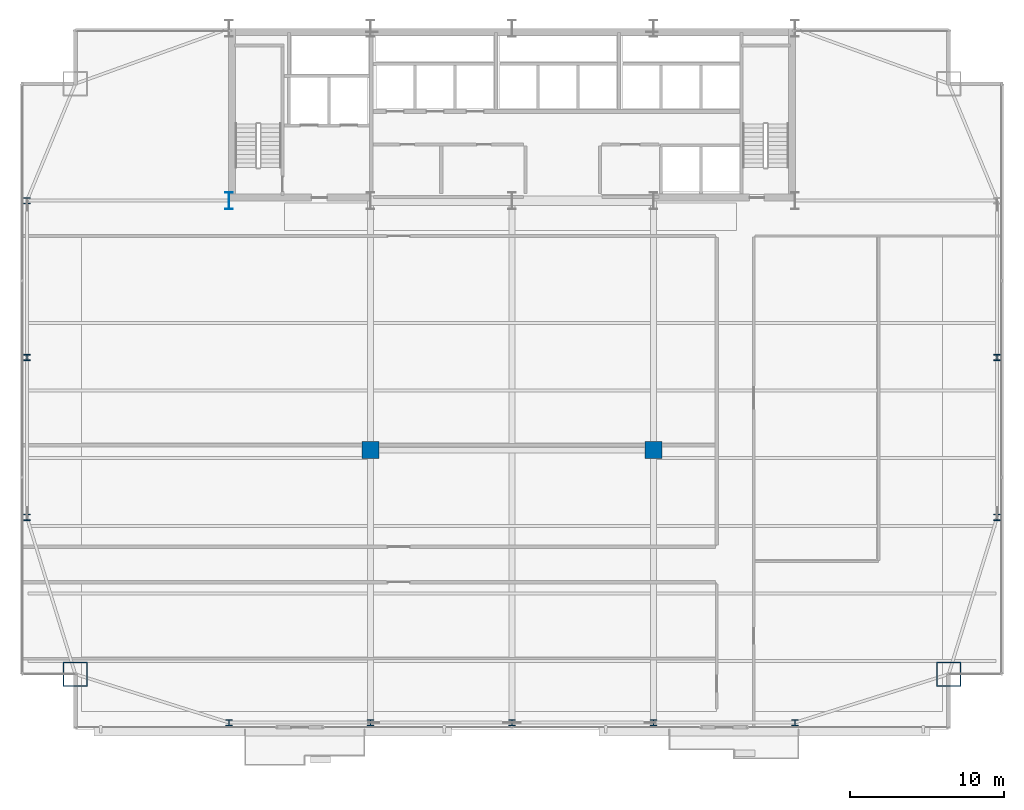
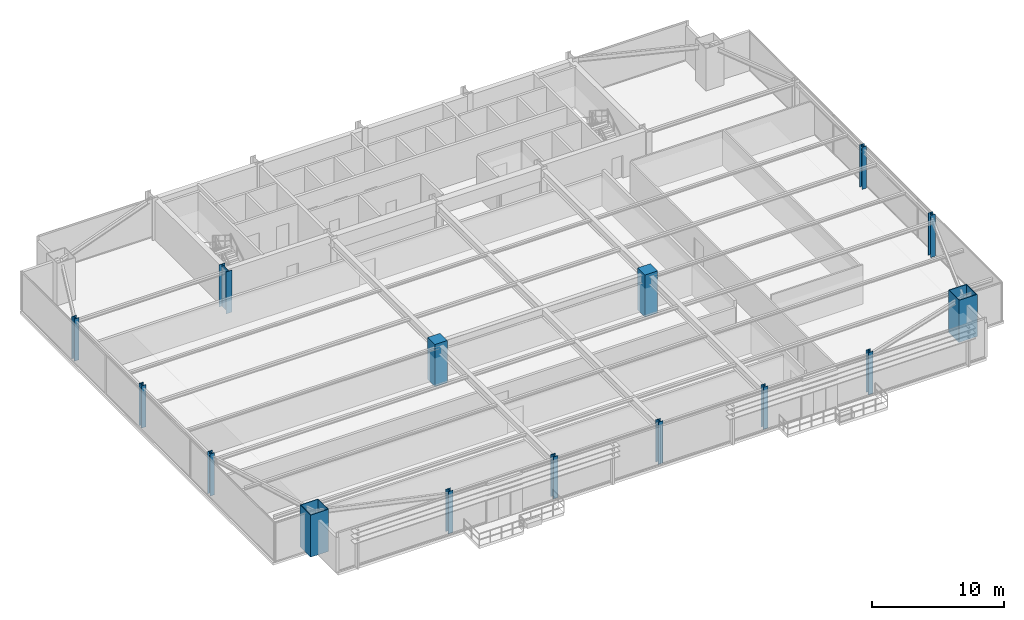
# One storey, part 1 of 31: 15 columns.
"""IFC4 building model written with IfcOpenShell, lengths in metres."""

from ifc_helpers import new_model, si_unit, direction, frame, origin, origin_2d, place, context, subcontext, project, spatial, rectangle, hollow_rectangle, i_section, extrude, source, transform, mapped, material, material_profile, profile_set, type_object, type_shapes, element, save


model = new_model("IFC4")

# Units and contexts
model_context = context("Model", 3, precision=1e-05, world=origin(), true_north=direction((0.0, 1.0)))
body_context = subcontext(model_context, "Body", "Model", "MODEL_VIEW")
ifc_project = project(units=[si_unit("LENGTHUNIT", "METRE"), si_unit("AREAUNIT", "SQUARE_METRE"), si_unit("VOLUMEUNIT", "CUBIC_METRE"), si_unit("PLANEANGLEUNIT", "RADIAN"), si_unit("MASSUNIT", "GRAM", prefix="KILO")], contexts=[model_context])

# Site, building, storey
site_placement = place(None, origin())
site = spatial("IfcSite", under=ifc_project, at=site_placement, CompositionType="ELEMENT")
building_placement = place(site_placement, origin())
building = spatial("IfcBuilding", under=site, at=building_placement, Name="Varnel Quay Broadcast Tower", CompositionType="ELEMENT")
storey_placement = place(building_placement, frame((0.0, 0.0, 39.300048828125)))
storey = spatial("IfcBuildingStorey", under=building, at=storey_placement, Name="L08", CompositionType="ELEMENT", Elevation=39.300048828125)

# Columns
ifc_material_1 = material(Name="Structural Steel CSA G40.21 350WT", Category="steel")
ifc_material_profile_1 = material_profile(ifc_material_1, i_section(OverallWidth=0.5, OverallDepth=1.10009765625, WebThickness=0.01806640625, FlangeThickness=0.031982421875, FilletRadius=0.01806640625, at=origin_2d()), Name="WWF1100X418")
ifc_profile_set_1 = profile_set([ifc_material_profile_1], Name="Structural Steel CSA G40.21 350WT")
column_type_1 = type_object("IfcColumnType", Name="Col_WWF1100X418", PredefinedType="COLUMN", material=ifc_profile_set_1)
shared_shape_1 = source(origin(), body_context, "Body", "SweptSolid", [
    extrude(i_section(OverallWidth=0.5, OverallDepth=1.10009765625, WebThickness=0.01806640625, FlangeThickness=0.031982421875, FilletRadius=0.01806640625, at=origin_2d()), origin(), (0.0, 0.0, 1.0), 3.89990234375),
])
type_shapes(column_type_1, [shared_shape_1])
column_placement = place(storey_placement, frame((15.60009765625, 35.60009765625, 0.0), z_axis=(0.0, 0.0, 1.0), x_axis=(1.0, 0.0, 0.0)))
element("IfcColumn", 1, at=column_placement, inside=storey, type_object=column_type_1, Name="L08 Column CC-S1", PredefinedType="COLUMN", context=body_context, shape_type="MappedRepresentation", body=[
    mapped(shared_shape_1, transform((0.0, 0.0, 0.0), x_axis=(1.0, 0.0, 0.0), y_axis=(0.0, 1.0, 0.0), z_axis=(0.0, 0.0, 1.0), scale=1.0)),
])
ifc_material_profile_2 = material_profile(ifc_material_1, hollow_rectangle(XDim=1.60009765625, YDim=1.60009765625, WallThickness=0.06005859375, at=origin_2d()), Name="BOX1600X1600X60")
ifc_profile_set_2 = profile_set([ifc_material_profile_2], Name="Structural Steel CSA G40.21 350WT")
column_type_2 = type_object("IfcColumnType", Name="Col_BOX1600X1600X60", PredefinedType="COLUMN", material=ifc_profile_set_2)
shared_shape_2 = source(origin(), body_context, "Body", "SweptSolid", [
    extrude(hollow_rectangle(XDim=1.60009765625, YDim=1.60009765625, WallThickness=0.06005859375, at=origin_2d()), origin(), (0.0, 0.0, 1.0), 3.89990234375),
])
type_shapes(column_type_2, [shared_shape_2])
for number, where, z_axis, x_axis, name in (
    (2, (5.60009765625, 4.800048828125, 0.0), (0.0, 0.0, 1.0), (1.0, 0.0, 0.0), "L08 Column MC-SW"),
    (3, (62.39990234375, 4.800048828125, 0.0), (0.0, 0.0, 1.0), (1.0, 0.0, 0.0), "L08 Column MC-SE"),
):
    element("IfcColumn", number, at=place(storey_placement, frame(where, z_axis=z_axis, x_axis=x_axis)), inside=storey, type_object=column_type_2, Name=name, PredefinedType="COLUMN", context=body_context, shape_type="MappedRepresentation", body=[
        mapped(shared_shape_2, transform((0.0, 0.0, 0.0), x_axis=(1.0, 0.0, 0.0), y_axis=(0.0, 1.0, 0.0), z_axis=(0.0, 0.0, 1.0), scale=1.0)),
    ])
ifc_material_2 = material(Name="Structural Steel CSA G40.21 350W", Category="steel")
ifc_material_profile_3 = material_profile(ifc_material_2, i_section(OverallWidth=0.404052734375, OverallDepth=0.406982421875, WebThickness=0.027099609375, FlangeThickness=0.043701171875, FilletRadius=0.01806640625, at=origin_2d()), Name="W360X347")
ifc_profile_set_3 = profile_set([ifc_material_profile_3], Name="Structural Steel CSA G40.21 350W")
column_type_3 = type_object("IfcColumnType", Name="Col_W360X347", PredefinedType="COLUMN", material=ifc_profile_set_3)
shared_shape_3 = source(origin(), body_context, "Body", "SweptSolid", [
    extrude(i_section(OverallWidth=0.404052734375, OverallDepth=0.406982421875, WebThickness=0.027099609375, FlangeThickness=0.043701171875, FilletRadius=0.01806640625, at=origin_2d()), origin(), (0.0, 0.0, 1.0), 3.89990234375),
])
type_shapes(column_type_3, [shared_shape_3])
for number, where, z_axis, x_axis, name in (
    (4, (15.60009765625, 1.64990234375, 0.0), (0.0, 0.0, 1.0), (1.0, 0.0, 0.0), "L08 Column TC-S1"),
    (5, (24.800048828125, 1.64990234375, 0.0), (0.0, 0.0, 1.0), (1.0, 0.0, 0.0), "L08 Column TC-S2"),
    (6, (34.0, 1.64990234375, 0.0), (0.0, 0.0, 1.0), (1.0, 0.0, 0.0), "L08 Column TC-S3"),
    (7, (43.199951171875, 1.64990234375, 0.0), (0.0, 0.0, 1.0), (1.0, 0.0, 0.0), "L08 Column TC-S4"),
    (8, (52.39990234375, 1.64990234375, 0.0), (0.0, 0.0, 1.0), (1.0, 0.0, 0.0), "L08 Column TC-S5"),
    (9, (2.449951171875, 15.0, 0.0), (0.0, 0.0, 1.0), (1.0, 0.0, 0.0), "L08 Column TC-W1"),
    (10, (65.550048828125, 15.0, 0.0), (0.0, 0.0, 1.0), (1.0, 0.0, 0.0), "L08 Column TC-E1"),
    (11, (2.449951171875, 25.39990234375, 0.0), (0.0, 0.0, 1.0), (1.0, 0.0, 0.0), "L08 Column TC-W2"),
    (12, (65.550048828125, 25.39990234375, 0.0), (0.0, 0.0, 1.0), (1.0, 0.0, 0.0), "L08 Column TC-E2"),
    (13, (2.449951171875, 35.60009765625, 0.0), (0.0, 0.0, 1.0), (1.0, 0.0, 0.0), "L08 Column TC-W3"),
):
    element("IfcColumn", number, at=place(storey_placement, frame(where, z_axis=z_axis, x_axis=x_axis)), inside=storey, type_object=column_type_3, Name=name, PredefinedType="COLUMN", context=body_context, shape_type="MappedRepresentation", body=[
        mapped(shared_shape_3, transform((0.0, 0.0, 0.0), x_axis=(1.0, 0.0, 0.0), y_axis=(0.0, 1.0, 0.0), z_axis=(0.0, 0.0, 1.0), scale=1.0)),
    ])
ifc_material_3 = material(Name="Concrete CSA A23.3 C60/75", Category="concrete")
ifc_material_profile_4 = material_profile(ifc_material_3, rectangle(XDim=1.10009765625, YDim=1.10009765625, at=origin_2d()), Name="RC1100X1100")
ifc_profile_set_4 = profile_set([ifc_material_profile_4], Name="Concrete CSA A23.3 C60/75")
column_type_4 = type_object("IfcColumnType", Name="Col_RC1100X1100", PredefinedType="COLUMN", material=ifc_profile_set_4)
shared_shape_4 = source(origin(), body_context, "Body", "SweptSolid", [
    extrude(rectangle(XDim=1.10009765625, YDim=1.10009765625, at=origin_2d()), origin(), (0.0, 0.0, 1.0), 3.89990234375),
])
type_shapes(column_type_4, [shared_shape_4])
for number, where, z_axis, x_axis, name in (
    (14, (24.800048828125, 19.3701171875, 0.0), (0.0, 0.0, 1.0), (1.0, 0.0, 0.0), "L08 Column IC-01"),
    (15, (43.199951171875, 19.3701171875, 0.0), (0.0, 0.0, 1.0), (1.0, 0.0, 0.0), "L08 Column IC-02"),
):
    element("IfcColumn", number, at=place(storey_placement, frame(where, z_axis=z_axis, x_axis=x_axis)), inside=storey, type_object=column_type_4, Name=name, PredefinedType="COLUMN", context=body_context, shape_type="MappedRepresentation", body=[
        mapped(shared_shape_4, transform((0.0, 0.0, 0.0), x_axis=(1.0, 0.0, 0.0), y_axis=(0.0, 1.0, 0.0), z_axis=(0.0, 0.0, 1.0), scale=1.0)),
    ])

save(model, "model.ifc")
